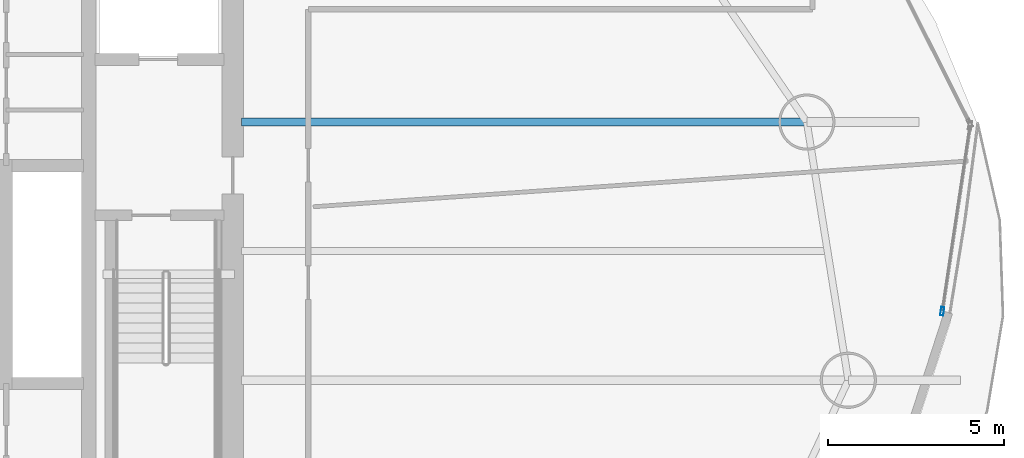
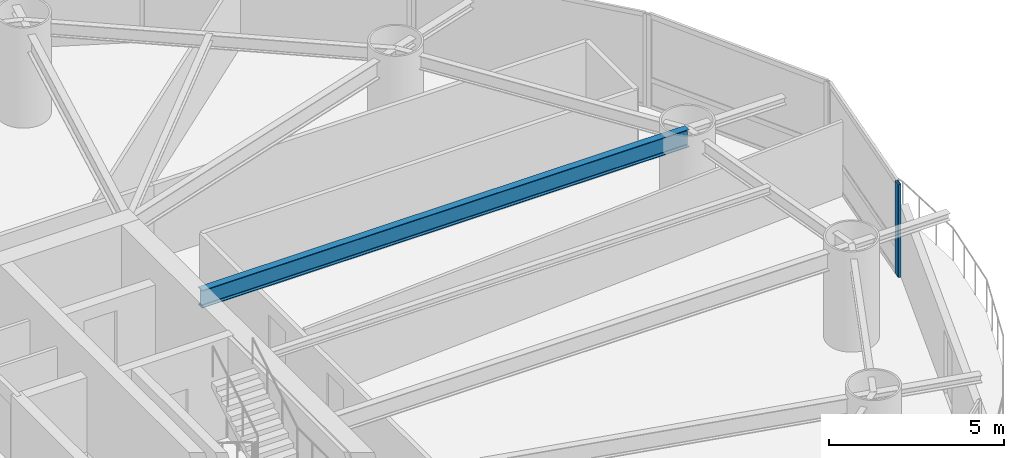
# One storey, part 9 of 26: 1 beam, 1 member, 1 element without a shape of its own.
"""IFC4 building model written with IfcOpenShell, lengths in metres."""

from ifc_helpers import new_model, si_unit, direction, frame, origin, origin_2d, place, context, subcontext, project, spatial, hollow_rectangle, i_section, extrude, material, layer, layer_set, material_profile, profile_set, type_object, element, aggregate, save


model = new_model("IFC4")

# Units and contexts
model_context = context("Model", 3, precision=1e-05, world=origin(), true_north=direction((0.0, 1.0)))
body_context = subcontext(model_context, "Body", "Model", "MODEL_VIEW")
ifc_project = project(units=[si_unit("LENGTHUNIT", "METRE"), si_unit("AREAUNIT", "SQUARE_METRE"), si_unit("VOLUMEUNIT", "CUBIC_METRE"), si_unit("PLANEANGLEUNIT", "RADIAN"), si_unit("MASSUNIT", "GRAM", prefix="KILO")], contexts=[model_context])

# Site, building, storey
site_placement = place(None, origin())
site = spatial("IfcSite", under=ifc_project, at=site_placement, CompositionType="ELEMENT")
building_placement = place(site_placement, origin())
building = spatial("IfcBuilding", under=site, at=building_placement, Name="Bramvorn Convention Spire", CompositionType="ELEMENT")
storey_placement = place(building_placement, frame((0.0, 0.0, 51.89990234375)))
storey = spatial("IfcBuildingStorey", under=building, at=storey_placement, Name="L10", CompositionType="ELEMENT", Elevation=51.89990234375)

# Beam
ifc_material_1 = material(Name="Steel CSA G40.21 Grade 350 (350W)", Category="steel")
ifc_material_profile_1 = material_profile(ifc_material_1, i_section(OverallWidth=0.22998046875, OverallDepth=0.616943359375, WebThickness=0.01318359375, FlangeThickness=0.022216796875, FilletRadius=0.02001953125, at=origin_2d()))
ifc_profile_set_1 = profile_set([ifc_material_profile_1], Name="Steel CSA G40.21 Grade 350 (350W) - W610X140")
beam_type = type_object("IfcBeamType", Name="BM-W610X140", PredefinedType="BEAM", material=ifc_profile_set_1)
beam_placement = place(storey_placement, frame((49.25, 29.340087890625, 2.941650390625), z_axis=(1.0, 0.0, 0.0), x_axis=(0.0, 1.0, 0.0)))
element("IfcBeam", 1, at=beam_placement, inside=storey, type_object=beam_type, Name="L10 radial floor girder MC02", PredefinedType="BEAM", context=body_context, shape_type="SweptSolid", body=[
    extrude(i_section(OverallWidth=0.22998046875, OverallDepth=0.616943359375, WebThickness=0.01318359375, FlangeThickness=0.022216796875, FilletRadius=0.02001953125, at=origin_2d()), origin(), (0.0, 0.0, 1.0), 16.088623046875),
])

# Curtain wall, member
ifc_material_2 = material(Name="Anodised Bronze Unitised Curtain Wall", Category="aluminium")
ifc_layer = layer(ifc_material_2, 0.219970703125)
ifc_layer_set = layer_set([ifc_layer], Name="Anodised Bronze Unitised Curtain Wall - CW-SKYGARDEN")
curtain_wall_type = type_object("IfcCurtainWallType", Name="CW-SKYGARDEN", PredefinedType="USERDEFINED", material=ifc_layer_set)
curtain_wall_placement = place(storey_placement, origin())
curtain_wall = element("IfcCurtainWall", 2, at=curtain_wall_placement, inside=storey, type_object=curtain_wall_type, Name="L10 Sky Garden glazed facade 01", ObjectType="WINTER GARDEN GLAZING", PredefinedType="USERDEFINED")
ifc_material_3 = material(Name="Anodised Bronze Aluminium 6063-T6", Category="aluminium")
ifc_material_profile_2 = material_profile(ifc_material_3, hollow_rectangle(XDim=0.090087890625, YDim=0.239990234375, WallThickness=0.00439453125, InnerFilletRadius=0.0009765625, OuterFilletRadius=0.00439453125, at=origin_2d()))
ifc_profile_set_2 = profile_set([ifc_material_profile_2], Name="Anodised Bronze Aluminium 6063-T6 - CWM90X240")
member_type = type_object("IfcMemberType", Name="CW-MUL-220", PredefinedType="MULLION", material=ifc_profile_set_2)
member_placement = place(storey_placement, frame((69.194091796875, 23.9580078125, 0.0), z_axis=(0.0, 0.0, 1.0), x_axis=(0.988951398815, -0.14824011192, 0.0)))
member = element("IfcMember", 3, at=member_placement, type_object=member_type, Name="CW4 mullion 2", PredefinedType="MULLION", context=body_context, shape_type="SweptSolid", body=[
    extrude(hollow_rectangle(XDim=0.090087890625, YDim=0.239990234375, WallThickness=0.00439453125, InnerFilletRadius=0.0009765625, OuterFilletRadius=0.00439453125, at=origin_2d()), origin(), (0.0, 0.0, 1.0), 3.25),
])
aggregate(curtain_wall, [member])

save(model, "model.ifc")
